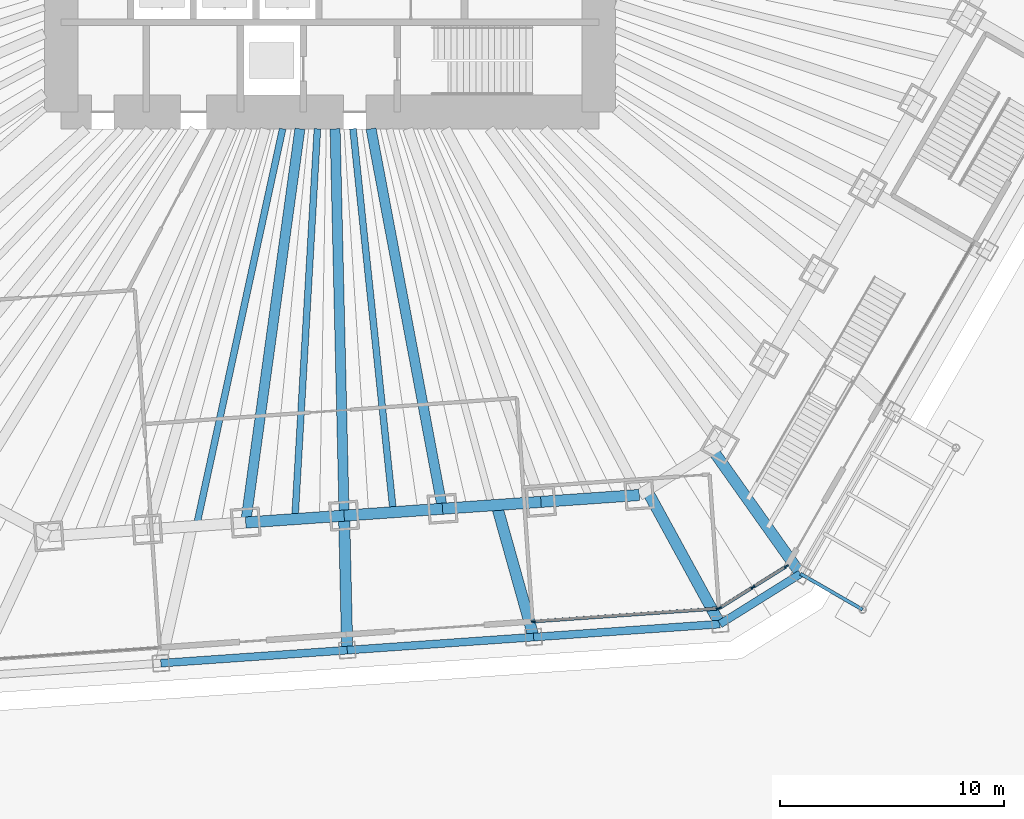
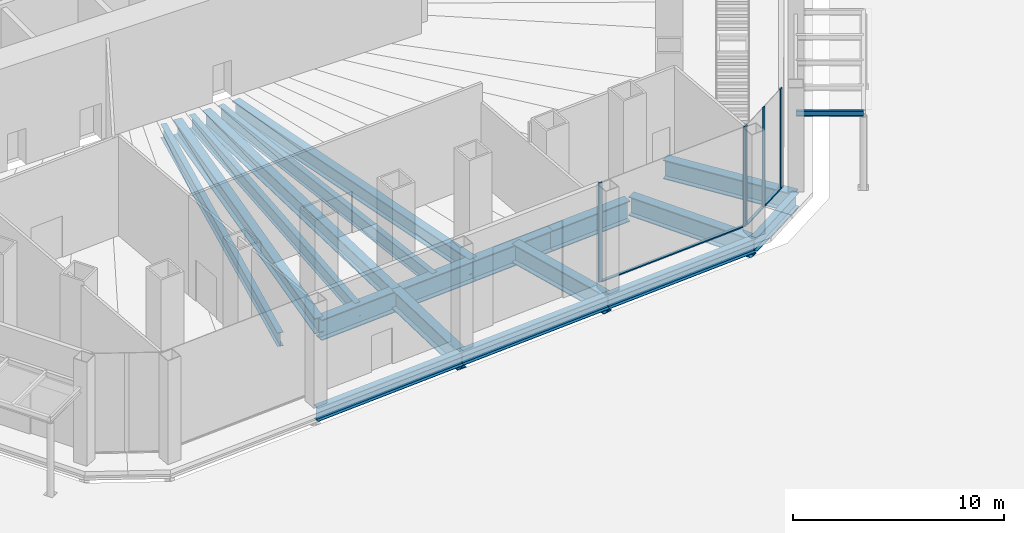
# One storey, part 13 of 45: 19 beams, 8 members, 2 elements without a shape of their own.
"""IFC4 building model written with IfcOpenShell, lengths in metres."""

from ifc_helpers import new_model, si_unit, direction, frame, origin, origin_2d, place, context, subcontext, project, spatial, rectangle, i_section, extrude, material, material_profile, profile_set, type_object, element, aggregate, save


model = new_model("IFC4")

# Units and contexts
model_context = context("Model", 3, precision=1e-05, world=origin(), true_north=direction((0.0, 1.0)))
body_context = subcontext(model_context, "Body", "Model", "MODEL_VIEW")
ifc_project = project(units=[si_unit("LENGTHUNIT", "METRE"), si_unit("AREAUNIT", "SQUARE_METRE"), si_unit("VOLUMEUNIT", "CUBIC_METRE"), si_unit("PLANEANGLEUNIT", "RADIAN"), si_unit("MASSUNIT", "GRAM", prefix="KILO")], contexts=[model_context])

# Site, building, storey
site_placement = place(None, origin())
site = spatial("IfcSite", under=ifc_project, at=site_placement, CompositionType="ELEMENT")
building_placement = place(site_placement, origin())
building = spatial("IfcBuilding", under=site, at=building_placement, Name="Qingtian Harvest Tower", CompositionType="ELEMENT")
storey_placement = place(building_placement, origin())
storey = spatial("IfcBuildingStorey", under=building, at=storey_placement, Name="L00", CompositionType="ELEMENT", Elevation=0.0)

# Beams
ifc_material_1 = material(Name="Steel SN490B", Category="steel")
ifc_material_profile_1 = material_profile(ifc_material_1, i_section(OverallWidth=0.14990234375, OverallDepth=0.300048828125, WebThickness=0.006591796875, FlangeThickness=0.009033203125, at=origin_2d()), Name="H300x150x6.5x9")
ifc_profile_set_1 = profile_set([ifc_material_profile_1], Name="Steel SN490B")
beam_type_1 = type_object("IfcBeamType", Name="Canopy beam CB1 H300x150x6.5x9", PredefinedType="BEAM", material=ifc_profile_set_1)
beam_1_placement = place(storey_placement, frame((21.005615234375, -29.6171875, 4.31005859375), z_axis=(0.866008981251, -0.500028443584, 0.0), x_axis=(0.500028443584, 0.866008981251, 0.0)))
element("IfcBeam", 1, at=beam_1_placement, inside=storey, type_object=beam_type_1, Name="Canopy beam CB1 CN3 4", PredefinedType="BEAM", context=body_context, shape_type="SweptSolid", body=[
    extrude(i_section(OverallWidth=0.14990234375, OverallDepth=0.300048828125, WebThickness=0.006591796875, FlangeThickness=0.009033203125, at=origin_2d()), origin(), (0.0, 0.0, 1.0), 3.199951171875),
])
ifc_material_2 = material(Name="Steel SM570MC", Category="steel")
ifc_material_profile_2 = material_profile(ifc_material_2, i_section(OverallWidth=0.449951171875, OverallDepth=0.89990234375, WebThickness=0.02197265625, FlangeThickness=0.044921875, at=origin_2d()), Name="H900x450x22x45")
ifc_profile_set_2 = profile_set([ifc_material_profile_2], Name="Steel SM570MC")
beam_type_2 = type_object("IfcBeamType", Name="Floor beam FB5 H900x450x22x45", PredefinedType="BEAM", material=ifc_profile_set_2)
beam_2_placement = place(storey_placement, frame((5.022705078125, -26.714599609375, -0.699951171875), z_axis=(-0.184782942099, 0.98277935688, 0.0), x_axis=(-0.98277935688, -0.184782942099, 0.0)))
element("IfcBeam", 2, at=beam_2_placement, inside=storey, type_object=beam_type_2, Name="Floor beam FB5 S2", PredefinedType="BEAM", context=body_context, shape_type="SweptSolid", body=[
    extrude(i_section(OverallWidth=0.449951171875, OverallDepth=0.89990234375, WebThickness=0.02197265625, FlangeThickness=0.044921875, at=origin_2d()), origin(), (0.0, 0.0, 1.0), 17.261962890625),
])
beam_3_placement = place(storey_placement, frame((0.62890625, -27.02197265625, -0.699951171875), z_axis=(-0.023274161941, 0.999729120005, 0.0), x_axis=(-0.999729120005, -0.023274161941, 0.0)))
element("IfcBeam", 3, at=beam_3_placement, inside=storey, type_object=beam_type_2, Name="Floor beam FB5 S3", PredefinedType="BEAM", context=body_context, shape_type="SweptSolid", body=[
    extrude(i_section(OverallWidth=0.449951171875, OverallDepth=0.89990234375, WebThickness=0.02197265625, FlangeThickness=0.044921875, at=origin_2d()), origin(), (0.0, 0.0, 1.0), 17.276611328125),
])
beam_4_placement = place(storey_placement, frame((-3.76513671875, -27.3291015625, -0.699951171875), z_axis=(0.136480966577, 0.990642693287, 0.0), x_axis=(-0.990642693287, 0.136480966577, 0.0)))
element("IfcBeam", 4, at=beam_4_placement, inside=storey, type_object=beam_type_2, Name="Floor beam FB5 S4", PredefinedType="BEAM", context=body_context, shape_type="SweptSolid", body=[
    extrude(i_section(OverallWidth=0.449951171875, OverallDepth=0.89990234375, WebThickness=0.02197265625, FlangeThickness=0.044921875, at=origin_2d()), origin(), (0.0, 0.0, 1.0), 17.7451171875),
])
ifc_material_3 = material(Name="Steel SM570MC", Category="steel")
ifc_material_profile_3 = material_profile(ifc_material_3, i_section(OverallWidth=0.5, OverallDepth=1.10009765625, WebThickness=0.02490234375, FlangeThickness=0.050048828125, at=origin_2d()), Name="H1100x500x25x50")
ifc_profile_set_3 = profile_set([ifc_material_profile_3], Name="Steel SM570MC")
beam_type_3 = type_object("IfcBeamType", Name="Floor beam FB6 H1100x500x25x50", PredefinedType="BEAM", material=ifc_profile_set_3)
for number, where, z_axis, x_axis, name in (
    (5, (21.005615234375, -29.6171875, -0.800048828125), (-0.578520766402, 0.81566765465, 0.0), (-0.81566765465, -0.578520766402, 0.0), "Podium floor beam FB6 SE4"),
    (6, (17.411376953125, -31.863037109375, -0.800048828125), (-0.479497824653, 0.877543067976, 0.0), (-0.877543067976, -0.479497824653, 0.0), "Podium floor beam FB6 S0"),
):
    element("IfcBeam", number, at=place(storey_placement, frame(where, z_axis=z_axis, x_axis=x_axis)), inside=storey, type_object=beam_type_3, Name=name, PredefinedType="BEAM", context=body_context, shape_type="SweptSolid", body=[
        extrude(i_section(OverallWidth=0.5, OverallDepth=1.10009765625, WebThickness=0.02490234375, FlangeThickness=0.050048828125, at=origin_2d()), origin(), (0.0, 0.0, 1.0), 6.806884765625),
    ])
beam_5_placement = place(storey_placement, frame((9.090087890625, -32.44482421875, -0.800048828125), z_axis=(-0.269801393406, 0.962915992242, 0.0), x_axis=(-0.962915992242, -0.269801393406, 0.0)))
element("IfcBeam", 7, at=beam_5_placement, inside=storey, type_object=beam_type_3, Name="Podium floor beam FB6 S1", PredefinedType="BEAM", context=body_context, shape_type="SweptSolid", body=[
    extrude(i_section(OverallWidth=0.5, OverallDepth=1.10009765625, WebThickness=0.02490234375, FlangeThickness=0.050048828125, at=origin_2d()), origin(), (0.0, 0.0, 1.0), 6.126220703125),
])
beam_6_placement = place(storey_placement, frame((0.7685546875, -33.02685546875, -0.800048828125), z_axis=(-0.023249527749, 0.999729693197, 0.0), x_axis=(-0.999729693197, -0.023249527749, 0.0)))
element("IfcBeam", 8, at=beam_6_placement, inside=storey, type_object=beam_type_3, Name="Podium floor beam FB6 S2", PredefinedType="BEAM", context=body_context, shape_type="SweptSolid", body=[
    extrude(i_section(OverallWidth=0.5, OverallDepth=1.10009765625, WebThickness=0.02490234375, FlangeThickness=0.050048828125, at=origin_2d()), origin(), (0.0, 0.0, 1.0), 6.006591796875),
])
ifc_material_4 = material(Name="Steel SN490B", Category="steel")
ifc_material_profile_4 = material_profile(ifc_material_4, i_section(OverallWidth=0.300048828125, OverallDepth=0.800048828125, WebThickness=0.013916015625, FlangeThickness=0.02587890625, at=origin_2d()), Name="H800x300x14x26")
ifc_profile_set_4 = profile_set([ifc_material_profile_4], Name="Steel SN490B")
beam_type_4 = type_object("IfcBeamType", Name="Floor joist J1 H800x300x14x26", PredefinedType="JOIST", material=ifc_profile_set_4)
beam_7_placement = place(storey_placement, frame((2.82568359375, -26.868408203125, -0.64990234375), z_axis=(-0.104590278152, 0.99451539642, 0.0), x_axis=(-0.99451539642, -0.104590278152, 0.0)))
element("IfcBeam", 9, at=beam_7_placement, inside=storey, type_object=beam_type_4, Name="Floor joist J1 S2", PredefinedType="JOIST", context=body_context, shape_type="SweptSolid", body=[
    extrude(i_section(OverallWidth=0.300048828125, OverallDepth=0.800048828125, WebThickness=0.013916015625, FlangeThickness=0.02587890625, at=origin_2d()), origin(), (0.0, 0.0, 1.0), 17.212890625),
])
beam_8_placement = place(storey_placement, frame((-1.568115234375, -27.175537109375, -0.64990234375), z_axis=(0.057613424947, 0.998338967118, 0.0), x_axis=(-0.998338967118, 0.057613424947, 0.0)))
element("IfcBeam", 10, at=beam_8_placement, inside=storey, type_object=beam_type_4, Name="Floor joist J1 S3", PredefinedType="JOIST", context=body_context, shape_type="SweptSolid", body=[
    extrude(i_section(OverallWidth=0.300048828125, OverallDepth=0.800048828125, WebThickness=0.013916015625, FlangeThickness=0.02587890625, at=origin_2d()), origin(), (0.0, 0.0, 1.0), 17.45458984375),
])
beam_9_placement = place(storey_placement, frame((-5.9619140625, -27.48291015625, -0.64990234375), z_axis=(0.211992805661, 0.977271226604, 0.0), x_axis=(-0.977271226604, 0.211992805661, 0.0)))
element("IfcBeam", 11, at=beam_9_placement, inside=storey, type_object=beam_type_4, Name="Floor joist J1 S4", PredefinedType="JOIST", context=body_context, shape_type="SweptSolid", body=[
    extrude(i_section(OverallWidth=0.300048828125, OverallDepth=0.800048828125, WebThickness=0.013916015625, FlangeThickness=0.02587890625, at=origin_2d()), origin(), (0.0, 0.0, 1.0), 18.145263671875),
])

# Curtain wall, members
ifc_material_5 = material(Name="Bronze-anodised aluminium curtain wall", Category="aluminium")
curtain_wall_type = type_object("IfcCurtainWallType", Name="Curtain wall CW1 podium shopfront", PredefinedType="USERDEFINED", material=ifc_material_5)
curtain_wall_1_placement = place(storey_placement, origin())
curtain_wall_1 = element("IfcCurtainWall", 12, at=curtain_wall_1_placement, inside=storey, type_object=curtain_wall_type, Name="Curtain wall CW1 L00 SEC", ObjectType="RECESSED CURTAIN WALL", PredefinedType="USERDEFINED")
ifc_material_6 = material(Name="Bronze-anodised aluminium mullion", Category="aluminium")
ifc_material_profile_5 = material_profile(ifc_material_6, rectangle(XDim=0.06494140625, YDim=0.199951171875, at=origin_2d()), Name="AL 65x200")
ifc_profile_set_5 = profile_set([ifc_material_profile_5], Name="Bronze-anodised aluminium mullion")
member_type_1 = type_object("IfcMemberType", Name="Mullion CWM 65x200", PredefinedType="MULLION", material=ifc_profile_set_5)
member_1_placement = place(storey_placement, frame((20.371826171875, -29.284423828125, 0.0), z_axis=(0.0, 0.0, 1.0), x_axis=(0.529919264233, -0.848048096156, 0.0)))
member_1 = element("IfcMember", 13, at=member_1_placement, type_object=member_type_1, Name="CW1 mullion 1", PredefinedType="MULLION", context=body_context, shape_type="SweptSolid", body=[
    extrude(rectangle(XDim=0.06494140625, YDim=0.199951171875, at=origin_2d()), origin(), (0.0, 0.0, 1.0), 5.75),
])
member_2_placement = place(storey_placement, frame((18.881103515625, -30.216064453125, 0.0), z_axis=(0.0, 0.0, 1.0), x_axis=(0.529919264233, -0.848048096156, 0.0)))
member_2 = element("IfcMember", 14, at=member_2_placement, type_object=member_type_1, Name="CW1 mullion 2", PredefinedType="MULLION", context=body_context, shape_type="SweptSolid", body=[
    extrude(rectangle(XDim=0.06494140625, YDim=0.199951171875, at=origin_2d()), origin(), (0.0, 0.0, 1.0), 5.75),
])
member_3_placement = place(storey_placement, frame((17.39013671875, -31.1474609375, 0.0), z_axis=(0.0, 0.0, 1.0), x_axis=(0.529919264233, -0.848048096156, 0.0)))
member_3 = element("IfcMember", 15, at=member_3_placement, type_object=member_type_1, Name="CW1 mullion 3", PredefinedType="MULLION", context=body_context, shape_type="SweptSolid", body=[
    extrude(rectangle(XDim=0.06494140625, YDim=0.199951171875, at=origin_2d()), origin(), (0.0, 0.0, 1.0), 5.75),
])

curtain_wall_2_placement = place(storey_placement, origin())
curtain_wall_2 = element("IfcCurtainWall", 16, at=curtain_wall_2_placement, inside=storey, type_object=curtain_wall_type, Name="Curtain wall CW1 L00 S0", ObjectType="RECESSED CURTAIN WALL", PredefinedType="USERDEFINED")
member_4_placement = place(storey_placement, frame((17.330322265625, -31.1669921875, 0.0), z_axis=(0.0, 0.0, 1.0), x_axis=(0.069756473744, -0.99756405026, 0.0)))
member_4 = element("IfcMember", 17, at=member_4_placement, type_object=member_type_1, Name="CW1 mullion 1", PredefinedType="MULLION", context=body_context, shape_type="SweptSolid", body=[
    extrude(rectangle(XDim=0.06494140625, YDim=0.199951171875, at=origin_2d()), origin(), (0.0, 0.0, 1.0), 5.75),
])
member_5_placement = place(storey_placement, frame((9.07373046875, -31.744384765625, 0.0), z_axis=(0.0, 0.0, 1.0), x_axis=(0.069756473744, -0.99756405026, 0.0)))
member_5 = element("IfcMember", 18, at=member_5_placement, type_object=member_type_1, Name="CW1 mullion 2", PredefinedType="MULLION", context=body_context, shape_type="SweptSolid", body=[
    extrude(rectangle(XDim=0.06494140625, YDim=0.199951171875, at=origin_2d()), origin(), (0.0, 0.0, 1.0), 5.75),
])

# Beams
ifc_material_7 = material(Name="Steel SN490B", Category="steel")
ifc_material_profile_6 = material_profile(ifc_material_7, i_section(OverallWidth=0.35009765625, OverallDepth=0.800048828125, WebThickness=0.01611328125, FlangeThickness=0.028076171875, at=origin_2d()), Name="H800x350x16x28")
ifc_profile_set_6 = profile_set([ifc_material_profile_6], Name="Steel SN490B")
beam_type_5 = type_object("IfcBeamType", Name="Podium beam PB1 H800x350x16x28", PredefinedType="BEAM", material=ifc_profile_set_6)
beam_10_placement = place(storey_placement, frame((21.005615234375, -29.6171875, -0.64990234375), z_axis=(-0.848056550838, -0.529905733675, 0.0), x_axis=(0.529905733675, -0.848056550838, 0.0)))
element("IfcBeam", 19, at=beam_10_placement, inside=storey, type_object=beam_type_5, Name="Podium edge beam PB1 SE4", PredefinedType="BEAM", context=body_context, shape_type="SweptSolid", body=[
    extrude(i_section(OverallWidth=0.35009765625, OverallDepth=0.800048828125, WebThickness=0.01611328125, FlangeThickness=0.028076171875, at=origin_2d()), origin(), (0.0, 0.0, 1.0), 4.23828125),
])
beam_11_placement = place(storey_placement, frame((17.411376953125, -31.863037109375, -0.64990234375), z_axis=(-0.997564835239, -0.069745247106, 0.0), x_axis=(0.069745247106, -0.997564835239, 0.0)))
element("IfcBeam", 20, at=beam_11_placement, inside=storey, type_object=beam_type_5, Name="Podium edge beam PB1 S0", PredefinedType="BEAM", context=body_context, shape_type="SweptSolid", body=[
    extrude(i_section(OverallWidth=0.35009765625, OverallDepth=0.800048828125, WebThickness=0.01611328125, FlangeThickness=0.028076171875, at=origin_2d()), origin(), (0.0, 0.0, 1.0), 8.341552734375),
])
for number, where, z_axis, x_axis, name in (
    (21, (9.090087890625, -32.44482421875, -0.64990234375), (-0.99756294098, -0.069772335376, 0.0), (0.069772335376, -0.99756294098, 0.0), "Podium edge beam PB1 S1"),
    (22, (0.7685546875, -33.02685546875, -0.64990234375), (-0.997564977604, -0.069743210844, 0.0), (0.069743210844, -0.997564977604, 0.0), "Podium edge beam PB1 S2"),
):
    element("IfcBeam", number, at=place(storey_placement, frame(where, z_axis=z_axis, x_axis=x_axis)), inside=storey, type_object=beam_type_5, Name=name, PredefinedType="BEAM", context=body_context, shape_type="SweptSolid", body=[
        extrude(i_section(OverallWidth=0.35009765625, OverallDepth=0.800048828125, WebThickness=0.01611328125, FlangeThickness=0.028076171875, at=origin_2d()), origin(), (0.0, 0.0, 1.0), 8.341796875),
    ])
ifc_material_8 = material(Name="Steel SM570MC", Category="steel")
ifc_material_profile_7 = material_profile(ifc_material_8, i_section(OverallWidth=0.5, OverallDepth=1.199951171875, WebThickness=0.02490234375, FlangeThickness=0.050048828125, at=origin_2d()), Name="H1200x500x25x50")
ifc_profile_set_7 = profile_set([ifc_material_profile_7], Name="Steel SM570MC")
beam_type_6 = type_object("IfcBeamType", Name="Spandrel beam SB1 H1200x500x25x50", PredefinedType="SPANDREL", material=ifc_profile_set_7)
beam_12_placement = place(storey_placement, frame((13.810546875, -26.10009765625, -0.85009765625), z_axis=(-0.997562286406, -0.069781693443, 0.0), x_axis=(0.069781693443, -0.997562286406, 0.0)))
element("IfcBeam", 23, at=beam_12_placement, inside=storey, type_object=beam_type_6, Name="Spandrel SB1 S0", PredefinedType="SPANDREL", context=body_context, shape_type="SweptSolid", body=[
    extrude(i_section(OverallWidth=0.5, OverallDepth=1.199951171875, WebThickness=0.02490234375, FlangeThickness=0.050048828125, at=origin_2d()), origin(), (0.0, 0.0, 1.0), 4.40478515625),
])
for number, where, z_axis, x_axis, name in (
    (24, (9.41650390625, -26.407470703125, -0.85009765625), (-0.997565873714, -0.069730392239, 0.0), (0.069730392239, -0.997565873714, 0.0), "Spandrel SB1 S1"),
    (25, (5.022705078125, -26.714599609375, -0.85009765625), (-0.997562016486, -0.069785551967, 0.0), (0.069785551967, -0.997562016486, 0.0), "Spandrel SB1 S2"),
):
    element("IfcBeam", number, at=place(storey_placement, frame(where, z_axis=z_axis, x_axis=x_axis)), inside=storey, type_object=beam_type_6, Name=name, PredefinedType="SPANDREL", context=body_context, shape_type="SweptSolid", body=[
        extrude(i_section(OverallWidth=0.5, OverallDepth=1.199951171875, WebThickness=0.02490234375, FlangeThickness=0.050048828125, at=origin_2d()), origin(), (0.0, 0.0, 1.0), 4.404541015625),
    ])
beam_13_placement = place(storey_placement, frame((0.62890625, -27.02197265625, -0.85009765625), z_axis=(-0.997566143208, -0.069726536735, 0.0), x_axis=(0.069726536735, -0.997566143208, 0.0)))
element("IfcBeam", 26, at=beam_13_placement, inside=storey, type_object=beam_type_6, Name="Spandrel SB1 S3", PredefinedType="SPANDREL", context=body_context, shape_type="SweptSolid", body=[
    extrude(i_section(OverallWidth=0.5, OverallDepth=1.199951171875, WebThickness=0.02490234375, FlangeThickness=0.050048828125, at=origin_2d()), origin(), (0.0, 0.0, 1.0), 4.40478515625),
])

# Member
ifc_material_9 = material(Name="Bronze-anodised aluminium transom", Category="aluminium")
ifc_material_profile_8 = material_profile(ifc_material_9, rectangle(XDim=0.14990234375, YDim=0.06494140625, at=origin_2d()), Name="AL 65x150")
ifc_profile_set_8 = profile_set([ifc_material_profile_8], Name="Bronze-anodised aluminium transom")
member_type_2 = type_object("IfcMemberType", Name="Transom CWT 65x150", PredefinedType="USERDEFINED", material=ifc_profile_set_8)
member_6_placement = place(storey_placement, frame((20.34423828125, -29.301513671875, 0.032470703125), z_axis=(-0.847998304005, -0.529998940003, 0.0), x_axis=(0.529998940003, -0.847998304005, 0.0)))
member_6 = element("IfcMember", 27, at=member_6_placement, type_object=member_type_2, Name="CW1 transom 1.1", ObjectType="TRANSOM", PredefinedType="USERDEFINED", context=body_context, shape_type="SweptSolid", body=[
    extrude(rectangle(XDim=0.14990234375, YDim=0.06494140625, at=origin_2d()), origin(), (0.0, 0.0, 1.0), 1.69287109375),
])

member_7_placement = place(storey_placement, frame((18.853515625, -30.233154296875, 0.032470703125), z_axis=(-0.84803880708, -0.529934129573, 0.0), x_axis=(0.529934129573, -0.84803880708, 0.0)))
member_7 = element("IfcMember", 28, at=member_7_placement, type_object=member_type_2, Name="CW1 transom 2.1", ObjectType="TRANSOM", PredefinedType="USERDEFINED", context=body_context, shape_type="SweptSolid", body=[
    extrude(rectangle(XDim=0.14990234375, YDim=0.06494140625, at=origin_2d()), origin(), (0.0, 0.0, 1.0), 1.693115234375),
])

aggregate(curtain_wall_1, [member_1, member_2, member_3, member_6, member_7])

member_8_placement = place(storey_placement, frame((17.2978515625, -31.169189453125, 0.032470703125), z_axis=(-0.997562652055, -0.069776466125, 0.0), x_axis=(0.069776466125, -0.997562652055, 0.0)))
member_8 = element("IfcMember", 29, at=member_8_placement, type_object=member_type_2, Name="CW1 transom 1.1", ObjectType="TRANSOM", PredefinedType="USERDEFINED", context=body_context, shape_type="SweptSolid", body=[
    extrude(rectangle(XDim=0.14990234375, YDim=0.06494140625, at=origin_2d()), origin(), (0.0, 0.0, 1.0), 8.2119140625),
])

aggregate(curtain_wall_2, [member_4, member_5, member_8])

save(model, "model.ifc")
